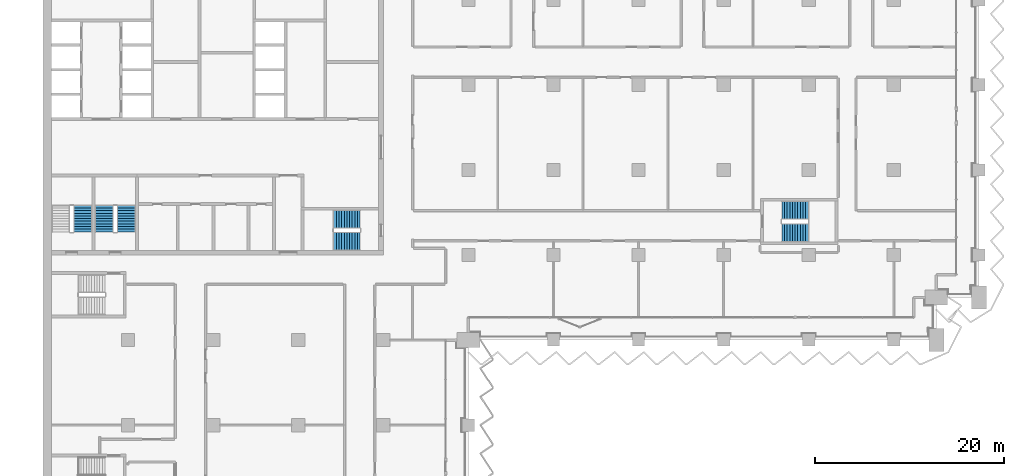
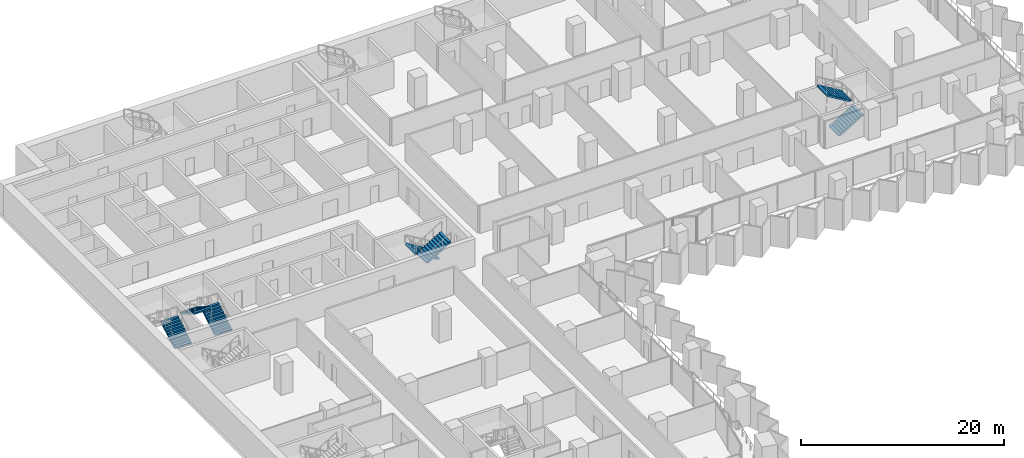
# One storey, part 20 of 28: 7 stair flights, 4 elements without a shape of their own.
"""IFC4 building model written with IfcOpenShell, lengths in metres."""

from ifc_helpers import new_model, si_unit, direction, frame, origin, place, context, subcontext, project, spatial, polyline, outline, extrude, material, type_object, element, aggregate, save


model = new_model("IFC4")

# Units and contexts
model_context = context("Model", 3, precision=1e-05, world=origin(), true_north=direction((0.0, 1.0)))
body_context = subcontext(model_context, "Body", "Model", "MODEL_VIEW")
ifc_project = project(units=[si_unit("LENGTHUNIT", "METRE"), si_unit("AREAUNIT", "SQUARE_METRE"), si_unit("VOLUMEUNIT", "CUBIC_METRE"), si_unit("PLANEANGLEUNIT", "RADIAN"), si_unit("MASSUNIT", "GRAM", prefix="KILO")], contexts=[model_context])

# Site, building, storey
site_placement = place(None, origin())
site = spatial("IfcSite", under=ifc_project, at=site_placement, CompositionType="ELEMENT")
building_placement = place(site_placement, origin())
building = spatial("IfcBuilding", under=site, at=building_placement, Name="Hunhe Ridgeline Campus", CompositionType="ELEMENT")
storey_placement = place(building_placement, frame((0.0, 0.0, 35.800048828125)))
storey = spatial("IfcBuildingStorey", under=building, at=storey_placement, Name="L07", CompositionType="ELEMENT", Elevation=35.800048828125)

# Stair, stair flights
ifc_material = material(Name="Concrete C40", Category="concrete")
stair_type = type_object("IfcStairType", Name="Reinforced concrete dog-leg stair 1950 Concrete C40", PredefinedType="HALF_TURN_STAIR", material=ifc_material)
stair_1_placement = place(storey_placement, origin())
stair_1 = element("IfcStair", 1, at=stair_1_placement, inside=storey, type_object=stair_type, Name="L07 S2", PredefinedType="HALF_TURN_STAIR")
stair_flight_type = type_object("IfcStairFlightType", Name="Reinforced concrete stair flight 1950 Concrete C40", PredefinedType="STRAIGHT", material=ifc_material)
stair_flight_1_placement = place(storey_placement, frame((33.550048828125, 66.77490234375, 0.0), z_axis=(0.0, 0.0, 1.0), x_axis=(-1.0, 0.0, 0.0)))
stair_flight_1 = element("IfcStairFlight", 2, at=stair_flight_1_placement, type_object=stair_flight_type, Name="ST2 flight 1", NumberOfRisers=11, NumberOfTreads=10, PredefinedType="STRAIGHT", RiserHeight=0.168181818, TreadLength=0.28, context=body_context, shape_type="SweptSolid", body=[
    extrude(outline(polyline([(0.0, 0.0), (0.0, 0.168212890625), (0.280029296875, 0.168212890625), (0.280029296875, 0.33642578125), (0.56005859375, 0.33642578125), (0.56005859375, 0.504638671875), (0.840087890625, 0.504638671875), (0.840087890625, 0.672607421875), (1.1201171875, 0.672607421875), (1.1201171875, 0.8408203125), (1.39990234375, 0.8408203125), (1.39990234375, 1.009033203125), (1.679931640625, 1.009033203125), (1.679931640625, 1.17724609375), (1.9599609375, 1.17724609375), (1.9599609375, 1.345458984375), (2.239990234375, 1.345458984375), (2.239990234375, 1.513671875), (2.52001953125, 1.513671875), (2.52001953125, 1.681884765625), (2.800048828125, 1.681884765625), (2.800048828125, 1.85009765625), (2.800048828125, 1.5068359375), (0.291015625, 0.0), (0.0, 0.0)])), frame((0.0, 0.97509765625, 0.0), z_axis=(0.0, -1.0, 0.0), x_axis=(1.0, 0.0, 0.0)), (0.0, 0.0, 1.0), 1.949951171875),
    extrude(outline(polyline([(0.030029296875, 0.030029296875), (0.030029296875, 0.13818359375), (0.31005859375, 0.13818359375), (0.31005859375, 0.306396484375), (0.590087890625, 0.306396484375), (0.590087890625, 0.474609375), (0.8701171875, 0.474609375), (0.8701171875, 0.642578125), (1.14990234375, 0.642578125), (1.14990234375, 0.810791015625), (1.429931640625, 0.810791015625), (1.429931640625, 0.97900390625), (1.7099609375, 0.97900390625), (1.7099609375, 1.147216796875), (1.989990234375, 1.147216796875), (1.989990234375, 1.3154296875), (2.27001953125, 1.3154296875), (2.27001953125, 1.483642578125), (2.550048828125, 1.483642578125), (2.550048828125, 1.65185546875), (2.77001953125, 1.65185546875), (2.77001953125, 1.52392578125), (0.28271484375, 0.030029296875), (0.030029296875, 0.030029296875)])), frame((0.0, -0.070068359375, 0.0), z_axis=(0.0, -1.0, 0.0), x_axis=(1.0, 0.0, 0.0)), (0.0, 0.0, 1.0), 0.019775390625),
    extrude(outline(polyline([(0.030029296875, 0.030029296875), (0.030029296875, 0.13818359375), (0.31005859375, 0.13818359375), (0.31005859375, 0.306396484375), (0.590087890625, 0.306396484375), (0.590087890625, 0.474609375), (0.8701171875, 0.474609375), (0.8701171875, 0.642578125), (1.14990234375, 0.642578125), (1.14990234375, 0.810791015625), (1.429931640625, 0.810791015625), (1.429931640625, 0.97900390625), (1.7099609375, 0.97900390625), (1.7099609375, 1.147216796875), (1.989990234375, 1.147216796875), (1.989990234375, 1.3154296875), (2.27001953125, 1.3154296875), (2.27001953125, 1.483642578125), (2.550048828125, 1.483642578125), (2.550048828125, 1.65185546875), (2.77001953125, 1.65185546875), (2.77001953125, 1.52392578125), (0.28271484375, 0.030029296875), (0.030029296875, 0.030029296875)])), frame((0.0, 0.010009765625, 0.0), z_axis=(0.0, -1.0, 0.0), x_axis=(1.0, 0.0, 0.0)), (0.0, 0.0, 1.0), 0.019775390625),
    extrude(outline(polyline([(0.030029296875, 0.030029296875), (0.030029296875, 0.13818359375), (0.31005859375, 0.13818359375), (0.31005859375, 0.306396484375), (0.590087890625, 0.306396484375), (0.590087890625, 0.474609375), (0.8701171875, 0.474609375), (0.8701171875, 0.642578125), (1.14990234375, 0.642578125), (1.14990234375, 0.810791015625), (1.429931640625, 0.810791015625), (1.429931640625, 0.97900390625), (1.7099609375, 0.97900390625), (1.7099609375, 1.147216796875), (1.989990234375, 1.147216796875), (1.989990234375, 1.3154296875), (2.27001953125, 1.3154296875), (2.27001953125, 1.483642578125), (2.550048828125, 1.483642578125), (2.550048828125, 1.65185546875), (2.77001953125, 1.65185546875), (2.77001953125, 1.52392578125), (0.28271484375, 0.030029296875), (0.030029296875, 0.030029296875)])), frame((0.0, 0.090087890625, 0.0), z_axis=(0.0, -1.0, 0.0), x_axis=(1.0, 0.0, 0.0)), (0.0, 0.0, 1.0), 0.019775390625),
])
stair_flight_2_placement = place(storey_placement, frame((30.75, 64.47509765625, 1.849853515625), z_axis=(0.0, 0.0, 1.0), x_axis=(1.0, 0.0, 0.0)))
stair_flight_2 = element("IfcStairFlight", 3, at=stair_flight_2_placement, type_object=stair_flight_type, Name="ST2 flight 2", NumberOfRisers=11, NumberOfTreads=10, PredefinedType="STRAIGHT", RiserHeight=0.168181818, TreadLength=0.28, context=body_context, shape_type="SweptSolid", body=[
    extrude(outline(polyline([(0.0, 0.0), (0.0, 0.168212890625), (0.280029296875, 0.168212890625), (0.280029296875, 0.33642578125), (0.56005859375, 0.33642578125), (0.56005859375, 0.504638671875), (0.840087890625, 0.504638671875), (0.840087890625, 0.672607421875), (1.1201171875, 0.672607421875), (1.1201171875, 0.8408203125), (1.39990234375, 0.8408203125), (1.39990234375, 1.009033203125), (1.679931640625, 1.009033203125), (1.679931640625, 1.17724609375), (1.9599609375, 1.17724609375), (1.9599609375, 1.345458984375), (2.239990234375, 1.345458984375), (2.239990234375, 1.513671875), (2.52001953125, 1.513671875), (2.52001953125, 1.681884765625), (2.800048828125, 1.681884765625), (2.800048828125, 1.85009765625), (2.800048828125, 1.5068359375), (0.291015625, 0.0), (0.0, 0.0)])), frame((0.0, 0.97509765625, 0.0), z_axis=(0.0, -1.0, 0.0), x_axis=(1.0, 0.0, 0.0)), (0.0, 0.0, 1.0), 1.949951171875),
    extrude(outline(polyline([(0.030029296875, 0.030029296875), (0.030029296875, 0.13818359375), (0.31005859375, 0.13818359375), (0.31005859375, 0.306396484375), (0.590087890625, 0.306396484375), (0.590087890625, 0.474609375), (0.8701171875, 0.474609375), (0.8701171875, 0.642578125), (1.14990234375, 0.642578125), (1.14990234375, 0.810791015625), (1.429931640625, 0.810791015625), (1.429931640625, 0.97900390625), (1.7099609375, 0.97900390625), (1.7099609375, 1.147216796875), (1.989990234375, 1.147216796875), (1.989990234375, 1.3154296875), (2.27001953125, 1.3154296875), (2.27001953125, 1.483642578125), (2.550048828125, 1.483642578125), (2.550048828125, 1.65185546875), (2.77001953125, 1.65185546875), (2.77001953125, 1.52392578125), (0.28271484375, 0.030029296875), (0.030029296875, 0.030029296875)])), frame((0.0, -0.070068359375, 0.0), z_axis=(0.0, -1.0, 0.0), x_axis=(1.0, 0.0, 0.0)), (0.0, 0.0, 1.0), 0.019775390625),
    extrude(outline(polyline([(0.030029296875, 0.030029296875), (0.030029296875, 0.13818359375), (0.31005859375, 0.13818359375), (0.31005859375, 0.306396484375), (0.590087890625, 0.306396484375), (0.590087890625, 0.474609375), (0.8701171875, 0.474609375), (0.8701171875, 0.642578125), (1.14990234375, 0.642578125), (1.14990234375, 0.810791015625), (1.429931640625, 0.810791015625), (1.429931640625, 0.97900390625), (1.7099609375, 0.97900390625), (1.7099609375, 1.147216796875), (1.989990234375, 1.147216796875), (1.989990234375, 1.3154296875), (2.27001953125, 1.3154296875), (2.27001953125, 1.483642578125), (2.550048828125, 1.483642578125), (2.550048828125, 1.65185546875), (2.77001953125, 1.65185546875), (2.77001953125, 1.52392578125), (0.28271484375, 0.030029296875), (0.030029296875, 0.030029296875)])), frame((0.0, 0.010009765625, 0.0), z_axis=(0.0, -1.0, 0.0), x_axis=(1.0, 0.0, 0.0)), (0.0, 0.0, 1.0), 0.019775390625),
    extrude(outline(polyline([(0.030029296875, 0.030029296875), (0.030029296875, 0.13818359375), (0.31005859375, 0.13818359375), (0.31005859375, 0.306396484375), (0.590087890625, 0.306396484375), (0.590087890625, 0.474609375), (0.8701171875, 0.474609375), (0.8701171875, 0.642578125), (1.14990234375, 0.642578125), (1.14990234375, 0.810791015625), (1.429931640625, 0.810791015625), (1.429931640625, 0.97900390625), (1.7099609375, 0.97900390625), (1.7099609375, 1.147216796875), (1.989990234375, 1.147216796875), (1.989990234375, 1.3154296875), (2.27001953125, 1.3154296875), (2.27001953125, 1.483642578125), (2.550048828125, 1.483642578125), (2.550048828125, 1.65185546875), (2.77001953125, 1.65185546875), (2.77001953125, 1.52392578125), (0.28271484375, 0.030029296875), (0.030029296875, 0.030029296875)])), frame((0.0, 0.090087890625, 0.0), z_axis=(0.0, -1.0, 0.0), x_axis=(1.0, 0.0, 0.0)), (0.0, 0.0, 1.0), 0.019775390625),
])
aggregate(stair_1, [stair_flight_1, stair_flight_2])

# Stair, stair flight
stair_2_placement = place(storey_placement, origin())
stair_2 = element("IfcStair", 4, at=stair_2_placement, inside=storey, type_object=stair_type, Name="L07 S3", PredefinedType="HALF_TURN_STAIR")
stair_flight_3_placement = place(storey_placement, frame((4.22509765625, 65.449951171875, 0.0), z_axis=(0.0, 0.0, 1.0), x_axis=(0.0, 1.0, 0.0)))
stair_flight_3 = element("IfcStairFlight", 5, at=stair_flight_3_placement, type_object=stair_flight_type, Name="ST3 flight 1", NumberOfRisers=11, NumberOfTreads=10, PredefinedType="STRAIGHT", RiserHeight=0.168181818, TreadLength=0.28, context=body_context, shape_type="SweptSolid", body=[
    extrude(outline(polyline([(0.0, 0.0), (0.0, 0.168212890625), (0.280029296875, 0.168212890625), (0.280029296875, 0.33642578125), (0.56005859375, 0.33642578125), (0.56005859375, 0.504638671875), (0.840087890625, 0.504638671875), (0.840087890625, 0.672607421875), (1.1201171875, 0.672607421875), (1.1201171875, 0.8408203125), (1.39990234375, 0.8408203125), (1.39990234375, 1.009033203125), (1.679931640625, 1.009033203125), (1.679931640625, 1.17724609375), (1.9599609375, 1.17724609375), (1.9599609375, 1.345458984375), (2.239990234375, 1.345458984375), (2.239990234375, 1.513671875), (2.52001953125, 1.513671875), (2.52001953125, 1.681884765625), (2.800048828125, 1.681884765625), (2.800048828125, 1.85009765625), (2.800048828125, 1.5068359375), (0.291015625, 0.0), (0.0, 0.0)])), frame((0.0, 0.97509765625, 0.0), z_axis=(0.0, -1.0, 0.0), x_axis=(1.0, 0.0, 0.0)), (0.0, 0.0, 1.0), 1.949951171875),
    extrude(outline(polyline([(0.030029296875, 0.030029296875), (0.030029296875, 0.13818359375), (0.31005859375, 0.13818359375), (0.31005859375, 0.306396484375), (0.590087890625, 0.306396484375), (0.590087890625, 0.474609375), (0.8701171875, 0.474609375), (0.8701171875, 0.642578125), (1.14990234375, 0.642578125), (1.14990234375, 0.810791015625), (1.429931640625, 0.810791015625), (1.429931640625, 0.97900390625), (1.7099609375, 0.97900390625), (1.7099609375, 1.147216796875), (1.989990234375, 1.147216796875), (1.989990234375, 1.3154296875), (2.27001953125, 1.3154296875), (2.27001953125, 1.483642578125), (2.550048828125, 1.483642578125), (2.550048828125, 1.65185546875), (2.77001953125, 1.65185546875), (2.77001953125, 1.52392578125), (0.28271484375, 0.030029296875), (0.030029296875, 0.030029296875)])), frame((0.0, -0.070068359375, 0.0), z_axis=(0.0, -1.0, 0.0), x_axis=(1.0, 0.0, 0.0)), (0.0, 0.0, 1.0), 0.019775390625),
    extrude(outline(polyline([(0.030029296875, 0.030029296875), (0.030029296875, 0.13818359375), (0.31005859375, 0.13818359375), (0.31005859375, 0.306396484375), (0.590087890625, 0.306396484375), (0.590087890625, 0.474609375), (0.8701171875, 0.474609375), (0.8701171875, 0.642578125), (1.14990234375, 0.642578125), (1.14990234375, 0.810791015625), (1.429931640625, 0.810791015625), (1.429931640625, 0.97900390625), (1.7099609375, 0.97900390625), (1.7099609375, 1.147216796875), (1.989990234375, 1.147216796875), (1.989990234375, 1.3154296875), (2.27001953125, 1.3154296875), (2.27001953125, 1.483642578125), (2.550048828125, 1.483642578125), (2.550048828125, 1.65185546875), (2.77001953125, 1.65185546875), (2.77001953125, 1.52392578125), (0.28271484375, 0.030029296875), (0.030029296875, 0.030029296875)])), frame((0.0, 0.010009765625, 0.0), z_axis=(0.0, -1.0, 0.0), x_axis=(1.0, 0.0, 0.0)), (0.0, 0.0, 1.0), 0.019775390625),
    extrude(outline(polyline([(0.030029296875, 0.030029296875), (0.030029296875, 0.13818359375), (0.31005859375, 0.13818359375), (0.31005859375, 0.306396484375), (0.590087890625, 0.306396484375), (0.590087890625, 0.474609375), (0.8701171875, 0.474609375), (0.8701171875, 0.642578125), (1.14990234375, 0.642578125), (1.14990234375, 0.810791015625), (1.429931640625, 0.810791015625), (1.429931640625, 0.97900390625), (1.7099609375, 0.97900390625), (1.7099609375, 1.147216796875), (1.989990234375, 1.147216796875), (1.989990234375, 1.3154296875), (2.27001953125, 1.3154296875), (2.27001953125, 1.483642578125), (2.550048828125, 1.483642578125), (2.550048828125, 1.65185546875), (2.77001953125, 1.65185546875), (2.77001953125, 1.52392578125), (0.28271484375, 0.030029296875), (0.030029296875, 0.030029296875)])), frame((0.0, 0.090087890625, 0.0), z_axis=(0.0, -1.0, 0.0), x_axis=(1.0, 0.0, 0.0)), (0.0, 0.0, 1.0), 0.019775390625),
])
aggregate(stair_2, [stair_flight_3])

# Stair, stair flights
stair_3_placement = place(storey_placement, origin())
stair_3 = element("IfcStair", 6, at=stair_3_placement, inside=storey, type_object=stair_type, Name="L07 S4", PredefinedType="HALF_TURN_STAIR")
stair_flight_4_placement = place(storey_placement, frame((8.824951171875, 65.449951171875, 0.0), z_axis=(0.0, 0.0, 1.0), x_axis=(0.0, 1.0, 0.0)))
stair_flight_4 = element("IfcStairFlight", 7, at=stair_flight_4_placement, type_object=stair_flight_type, Name="ST4 flight 1", NumberOfRisers=11, NumberOfTreads=10, PredefinedType="STRAIGHT", RiserHeight=0.168181818, TreadLength=0.28, context=body_context, shape_type="SweptSolid", body=[
    extrude(outline(polyline([(0.0, 0.0), (0.0, 0.168212890625), (0.280029296875, 0.168212890625), (0.280029296875, 0.33642578125), (0.56005859375, 0.33642578125), (0.56005859375, 0.504638671875), (0.840087890625, 0.504638671875), (0.840087890625, 0.672607421875), (1.1201171875, 0.672607421875), (1.1201171875, 0.8408203125), (1.39990234375, 0.8408203125), (1.39990234375, 1.009033203125), (1.679931640625, 1.009033203125), (1.679931640625, 1.17724609375), (1.9599609375, 1.17724609375), (1.9599609375, 1.345458984375), (2.239990234375, 1.345458984375), (2.239990234375, 1.513671875), (2.52001953125, 1.513671875), (2.52001953125, 1.681884765625), (2.800048828125, 1.681884765625), (2.800048828125, 1.85009765625), (2.800048828125, 1.5068359375), (0.291015625, 0.0), (0.0, 0.0)])), frame((0.0, 0.97509765625, 0.0), z_axis=(0.0, -1.0, 0.0), x_axis=(1.0, 0.0, 0.0)), (0.0, 0.0, 1.0), 1.949951171875),
    extrude(outline(polyline([(0.030029296875, 0.030029296875), (0.030029296875, 0.13818359375), (0.31005859375, 0.13818359375), (0.31005859375, 0.306396484375), (0.590087890625, 0.306396484375), (0.590087890625, 0.474609375), (0.8701171875, 0.474609375), (0.8701171875, 0.642578125), (1.14990234375, 0.642578125), (1.14990234375, 0.810791015625), (1.429931640625, 0.810791015625), (1.429931640625, 0.97900390625), (1.7099609375, 0.97900390625), (1.7099609375, 1.147216796875), (1.989990234375, 1.147216796875), (1.989990234375, 1.3154296875), (2.27001953125, 1.3154296875), (2.27001953125, 1.483642578125), (2.550048828125, 1.483642578125), (2.550048828125, 1.65185546875), (2.77001953125, 1.65185546875), (2.77001953125, 1.52392578125), (0.28271484375, 0.030029296875), (0.030029296875, 0.030029296875)])), frame((0.0, -0.070068359375, 0.0), z_axis=(0.0, -1.0, 0.0), x_axis=(1.0, 0.0, 0.0)), (0.0, 0.0, 1.0), 0.019775390625),
    extrude(outline(polyline([(0.030029296875, 0.030029296875), (0.030029296875, 0.13818359375), (0.31005859375, 0.13818359375), (0.31005859375, 0.306396484375), (0.590087890625, 0.306396484375), (0.590087890625, 0.474609375), (0.8701171875, 0.474609375), (0.8701171875, 0.642578125), (1.14990234375, 0.642578125), (1.14990234375, 0.810791015625), (1.429931640625, 0.810791015625), (1.429931640625, 0.97900390625), (1.7099609375, 0.97900390625), (1.7099609375, 1.147216796875), (1.989990234375, 1.147216796875), (1.989990234375, 1.3154296875), (2.27001953125, 1.3154296875), (2.27001953125, 1.483642578125), (2.550048828125, 1.483642578125), (2.550048828125, 1.65185546875), (2.77001953125, 1.65185546875), (2.77001953125, 1.52392578125), (0.28271484375, 0.030029296875), (0.030029296875, 0.030029296875)])), frame((0.0, 0.010009765625, 0.0), z_axis=(0.0, -1.0, 0.0), x_axis=(1.0, 0.0, 0.0)), (0.0, 0.0, 1.0), 0.019775390625),
    extrude(outline(polyline([(0.030029296875, 0.030029296875), (0.030029296875, 0.13818359375), (0.31005859375, 0.13818359375), (0.31005859375, 0.306396484375), (0.590087890625, 0.306396484375), (0.590087890625, 0.474609375), (0.8701171875, 0.474609375), (0.8701171875, 0.642578125), (1.14990234375, 0.642578125), (1.14990234375, 0.810791015625), (1.429931640625, 0.810791015625), (1.429931640625, 0.97900390625), (1.7099609375, 0.97900390625), (1.7099609375, 1.147216796875), (1.989990234375, 1.147216796875), (1.989990234375, 1.3154296875), (2.27001953125, 1.3154296875), (2.27001953125, 1.483642578125), (2.550048828125, 1.483642578125), (2.550048828125, 1.65185546875), (2.77001953125, 1.65185546875), (2.77001953125, 1.52392578125), (0.28271484375, 0.030029296875), (0.030029296875, 0.030029296875)])), frame((0.0, 0.090087890625, 0.0), z_axis=(0.0, -1.0, 0.0), x_axis=(1.0, 0.0, 0.0)), (0.0, 0.0, 1.0), 0.019775390625),
])
stair_flight_5_placement = place(storey_placement, frame((6.47509765625, 68.25, 1.849853515625), z_axis=(0.0, 0.0, 1.0), x_axis=(0.0, -1.0, 0.0)))
stair_flight_5 = element("IfcStairFlight", 8, at=stair_flight_5_placement, type_object=stair_flight_type, Name="ST4 flight 2", NumberOfRisers=11, NumberOfTreads=10, PredefinedType="STRAIGHT", RiserHeight=0.168181818, TreadLength=0.28, context=body_context, shape_type="SweptSolid", body=[
    extrude(outline(polyline([(0.0, 0.0), (0.0, 0.168212890625), (0.280029296875, 0.168212890625), (0.280029296875, 0.33642578125), (0.56005859375, 0.33642578125), (0.56005859375, 0.504638671875), (0.840087890625, 0.504638671875), (0.840087890625, 0.672607421875), (1.1201171875, 0.672607421875), (1.1201171875, 0.8408203125), (1.39990234375, 0.8408203125), (1.39990234375, 1.009033203125), (1.679931640625, 1.009033203125), (1.679931640625, 1.17724609375), (1.9599609375, 1.17724609375), (1.9599609375, 1.345458984375), (2.239990234375, 1.345458984375), (2.239990234375, 1.513671875), (2.52001953125, 1.513671875), (2.52001953125, 1.681884765625), (2.800048828125, 1.681884765625), (2.800048828125, 1.85009765625), (2.800048828125, 1.5068359375), (0.291015625, 0.0), (0.0, 0.0)])), frame((0.0, 0.97509765625, 0.0), z_axis=(0.0, -1.0, 0.0), x_axis=(1.0, 0.0, 0.0)), (0.0, 0.0, 1.0), 1.949951171875),
    extrude(outline(polyline([(0.030029296875, 0.030029296875), (0.030029296875, 0.13818359375), (0.31005859375, 0.13818359375), (0.31005859375, 0.306396484375), (0.590087890625, 0.306396484375), (0.590087890625, 0.474609375), (0.8701171875, 0.474609375), (0.8701171875, 0.642578125), (1.14990234375, 0.642578125), (1.14990234375, 0.810791015625), (1.429931640625, 0.810791015625), (1.429931640625, 0.97900390625), (1.7099609375, 0.97900390625), (1.7099609375, 1.147216796875), (1.989990234375, 1.147216796875), (1.989990234375, 1.3154296875), (2.27001953125, 1.3154296875), (2.27001953125, 1.483642578125), (2.550048828125, 1.483642578125), (2.550048828125, 1.65185546875), (2.77001953125, 1.65185546875), (2.77001953125, 1.52392578125), (0.28271484375, 0.030029296875), (0.030029296875, 0.030029296875)])), frame((0.0, -0.070068359375, 0.0), z_axis=(0.0, -1.0, 0.0), x_axis=(1.0, 0.0, 0.0)), (0.0, 0.0, 1.0), 0.019775390625),
    extrude(outline(polyline([(0.030029296875, 0.030029296875), (0.030029296875, 0.13818359375), (0.31005859375, 0.13818359375), (0.31005859375, 0.306396484375), (0.590087890625, 0.306396484375), (0.590087890625, 0.474609375), (0.8701171875, 0.474609375), (0.8701171875, 0.642578125), (1.14990234375, 0.642578125), (1.14990234375, 0.810791015625), (1.429931640625, 0.810791015625), (1.429931640625, 0.97900390625), (1.7099609375, 0.97900390625), (1.7099609375, 1.147216796875), (1.989990234375, 1.147216796875), (1.989990234375, 1.3154296875), (2.27001953125, 1.3154296875), (2.27001953125, 1.483642578125), (2.550048828125, 1.483642578125), (2.550048828125, 1.65185546875), (2.77001953125, 1.65185546875), (2.77001953125, 1.52392578125), (0.28271484375, 0.030029296875), (0.030029296875, 0.030029296875)])), frame((0.0, 0.010009765625, 0.0), z_axis=(0.0, -1.0, 0.0), x_axis=(1.0, 0.0, 0.0)), (0.0, 0.0, 1.0), 0.019775390625),
    extrude(outline(polyline([(0.030029296875, 0.030029296875), (0.030029296875, 0.13818359375), (0.31005859375, 0.13818359375), (0.31005859375, 0.306396484375), (0.590087890625, 0.306396484375), (0.590087890625, 0.474609375), (0.8701171875, 0.474609375), (0.8701171875, 0.642578125), (1.14990234375, 0.642578125), (1.14990234375, 0.810791015625), (1.429931640625, 0.810791015625), (1.429931640625, 0.97900390625), (1.7099609375, 0.97900390625), (1.7099609375, 1.147216796875), (1.989990234375, 1.147216796875), (1.989990234375, 1.3154296875), (2.27001953125, 1.3154296875), (2.27001953125, 1.483642578125), (2.550048828125, 1.483642578125), (2.550048828125, 1.65185546875), (2.77001953125, 1.65185546875), (2.77001953125, 1.52392578125), (0.28271484375, 0.030029296875), (0.030029296875, 0.030029296875)])), frame((0.0, 0.090087890625, 0.0), z_axis=(0.0, -1.0, 0.0), x_axis=(1.0, 0.0, 0.0)), (0.0, 0.0, 1.0), 0.019775390625),
])
aggregate(stair_3, [stair_flight_4, stair_flight_5])

stair_4_placement = place(storey_placement, origin())
stair_4 = element("IfcStair", 9, at=stair_4_placement, inside=storey, type_object=stair_type, Name="L07 E5", PredefinedType="HALF_TURN_STAIR")
stair_flight_6_placement = place(storey_placement, frame((78.14990234375, 65.375, 0.0), z_axis=(0.0, 0.0, 1.0), x_axis=(1.0, 0.0, 0.0)))
stair_flight_6 = element("IfcStairFlight", 10, at=stair_flight_6_placement, type_object=stair_flight_type, Name="ST10 flight 1", NumberOfRisers=11, NumberOfTreads=10, PredefinedType="STRAIGHT", RiserHeight=0.168181818, TreadLength=0.28, context=body_context, shape_type="SweptSolid", body=[
    extrude(outline(polyline([(0.0, 0.0), (0.0, 0.168212890625), (0.280029296875, 0.168212890625), (0.280029296875, 0.33642578125), (0.56005859375, 0.33642578125), (0.56005859375, 0.504638671875), (0.840087890625, 0.504638671875), (0.840087890625, 0.672607421875), (1.1201171875, 0.672607421875), (1.1201171875, 0.8408203125), (1.39990234375, 0.8408203125), (1.39990234375, 1.009033203125), (1.679931640625, 1.009033203125), (1.679931640625, 1.17724609375), (1.9599609375, 1.17724609375), (1.9599609375, 1.345458984375), (2.239990234375, 1.345458984375), (2.239990234375, 1.513671875), (2.52001953125, 1.513671875), (2.52001953125, 1.681884765625), (2.800048828125, 1.681884765625), (2.800048828125, 1.85009765625), (2.800048828125, 1.5068359375), (0.291015625, 0.0), (0.0, 0.0)])), frame((0.0, 0.97509765625, 0.0), z_axis=(0.0, -1.0, 0.0), x_axis=(1.0, 0.0, 0.0)), (0.0, 0.0, 1.0), 1.949951171875),
    extrude(outline(polyline([(0.030029296875, 0.030029296875), (0.030029296875, 0.13818359375), (0.31005859375, 0.13818359375), (0.31005859375, 0.306396484375), (0.590087890625, 0.306396484375), (0.590087890625, 0.474609375), (0.8701171875, 0.474609375), (0.8701171875, 0.642578125), (1.14990234375, 0.642578125), (1.14990234375, 0.810791015625), (1.429931640625, 0.810791015625), (1.429931640625, 0.97900390625), (1.7099609375, 0.97900390625), (1.7099609375, 1.147216796875), (1.989990234375, 1.147216796875), (1.989990234375, 1.3154296875), (2.27001953125, 1.3154296875), (2.27001953125, 1.483642578125), (2.550048828125, 1.483642578125), (2.550048828125, 1.65185546875), (2.77001953125, 1.65185546875), (2.77001953125, 1.52392578125), (0.28271484375, 0.030029296875), (0.030029296875, 0.030029296875)])), frame((0.0, -0.070068359375, 0.0), z_axis=(0.0, -1.0, 0.0), x_axis=(1.0, 0.0, 0.0)), (0.0, 0.0, 1.0), 0.019775390625),
    extrude(outline(polyline([(0.030029296875, 0.030029296875), (0.030029296875, 0.13818359375), (0.31005859375, 0.13818359375), (0.31005859375, 0.306396484375), (0.590087890625, 0.306396484375), (0.590087890625, 0.474609375), (0.8701171875, 0.474609375), (0.8701171875, 0.642578125), (1.14990234375, 0.642578125), (1.14990234375, 0.810791015625), (1.429931640625, 0.810791015625), (1.429931640625, 0.97900390625), (1.7099609375, 0.97900390625), (1.7099609375, 1.147216796875), (1.989990234375, 1.147216796875), (1.989990234375, 1.3154296875), (2.27001953125, 1.3154296875), (2.27001953125, 1.483642578125), (2.550048828125, 1.483642578125), (2.550048828125, 1.65185546875), (2.77001953125, 1.65185546875), (2.77001953125, 1.52392578125), (0.28271484375, 0.030029296875), (0.030029296875, 0.030029296875)])), frame((0.0, 0.010009765625, 0.0), z_axis=(0.0, -1.0, 0.0), x_axis=(1.0, 0.0, 0.0)), (0.0, 0.0, 1.0), 0.019775390625),
    extrude(outline(polyline([(0.030029296875, 0.030029296875), (0.030029296875, 0.13818359375), (0.31005859375, 0.13818359375), (0.31005859375, 0.306396484375), (0.590087890625, 0.306396484375), (0.590087890625, 0.474609375), (0.8701171875, 0.474609375), (0.8701171875, 0.642578125), (1.14990234375, 0.642578125), (1.14990234375, 0.810791015625), (1.429931640625, 0.810791015625), (1.429931640625, 0.97900390625), (1.7099609375, 0.97900390625), (1.7099609375, 1.147216796875), (1.989990234375, 1.147216796875), (1.989990234375, 1.3154296875), (2.27001953125, 1.3154296875), (2.27001953125, 1.483642578125), (2.550048828125, 1.483642578125), (2.550048828125, 1.65185546875), (2.77001953125, 1.65185546875), (2.77001953125, 1.52392578125), (0.28271484375, 0.030029296875), (0.030029296875, 0.030029296875)])), frame((0.0, 0.090087890625, 0.0), z_axis=(0.0, -1.0, 0.0), x_axis=(1.0, 0.0, 0.0)), (0.0, 0.0, 1.0), 0.019775390625),
])
stair_flight_7_placement = place(storey_placement, frame((80.949951171875, 67.72509765625, 1.849853515625), z_axis=(0.0, 0.0, 1.0), x_axis=(-1.0, 0.0, 0.0)))
stair_flight_7 = element("IfcStairFlight", 11, at=stair_flight_7_placement, type_object=stair_flight_type, Name="ST10 flight 2", NumberOfRisers=11, NumberOfTreads=10, PredefinedType="STRAIGHT", RiserHeight=0.168181818, TreadLength=0.28, context=body_context, shape_type="SweptSolid", body=[
    extrude(outline(polyline([(0.0, 0.0), (0.0, 0.168212890625), (0.280029296875, 0.168212890625), (0.280029296875, 0.33642578125), (0.56005859375, 0.33642578125), (0.56005859375, 0.504638671875), (0.840087890625, 0.504638671875), (0.840087890625, 0.672607421875), (1.1201171875, 0.672607421875), (1.1201171875, 0.8408203125), (1.39990234375, 0.8408203125), (1.39990234375, 1.009033203125), (1.679931640625, 1.009033203125), (1.679931640625, 1.17724609375), (1.9599609375, 1.17724609375), (1.9599609375, 1.345458984375), (2.239990234375, 1.345458984375), (2.239990234375, 1.513671875), (2.52001953125, 1.513671875), (2.52001953125, 1.681884765625), (2.800048828125, 1.681884765625), (2.800048828125, 1.85009765625), (2.800048828125, 1.5068359375), (0.291015625, 0.0), (0.0, 0.0)])), frame((0.0, 0.97509765625, 0.0), z_axis=(0.0, -1.0, 0.0), x_axis=(1.0, 0.0, 0.0)), (0.0, 0.0, 1.0), 1.949951171875),
    extrude(outline(polyline([(0.030029296875, 0.030029296875), (0.030029296875, 0.13818359375), (0.31005859375, 0.13818359375), (0.31005859375, 0.306396484375), (0.590087890625, 0.306396484375), (0.590087890625, 0.474609375), (0.8701171875, 0.474609375), (0.8701171875, 0.642578125), (1.14990234375, 0.642578125), (1.14990234375, 0.810791015625), (1.429931640625, 0.810791015625), (1.429931640625, 0.97900390625), (1.7099609375, 0.97900390625), (1.7099609375, 1.147216796875), (1.989990234375, 1.147216796875), (1.989990234375, 1.3154296875), (2.27001953125, 1.3154296875), (2.27001953125, 1.483642578125), (2.550048828125, 1.483642578125), (2.550048828125, 1.65185546875), (2.77001953125, 1.65185546875), (2.77001953125, 1.52392578125), (0.28271484375, 0.030029296875), (0.030029296875, 0.030029296875)])), frame((0.0, -0.070068359375, 0.0), z_axis=(0.0, -1.0, 0.0), x_axis=(1.0, 0.0, 0.0)), (0.0, 0.0, 1.0), 0.019775390625),
    extrude(outline(polyline([(0.030029296875, 0.030029296875), (0.030029296875, 0.13818359375), (0.31005859375, 0.13818359375), (0.31005859375, 0.306396484375), (0.590087890625, 0.306396484375), (0.590087890625, 0.474609375), (0.8701171875, 0.474609375), (0.8701171875, 0.642578125), (1.14990234375, 0.642578125), (1.14990234375, 0.810791015625), (1.429931640625, 0.810791015625), (1.429931640625, 0.97900390625), (1.7099609375, 0.97900390625), (1.7099609375, 1.147216796875), (1.989990234375, 1.147216796875), (1.989990234375, 1.3154296875), (2.27001953125, 1.3154296875), (2.27001953125, 1.483642578125), (2.550048828125, 1.483642578125), (2.550048828125, 1.65185546875), (2.77001953125, 1.65185546875), (2.77001953125, 1.52392578125), (0.28271484375, 0.030029296875), (0.030029296875, 0.030029296875)])), frame((0.0, 0.010009765625, 0.0), z_axis=(0.0, -1.0, 0.0), x_axis=(1.0, 0.0, 0.0)), (0.0, 0.0, 1.0), 0.019775390625),
    extrude(outline(polyline([(0.030029296875, 0.030029296875), (0.030029296875, 0.13818359375), (0.31005859375, 0.13818359375), (0.31005859375, 0.306396484375), (0.590087890625, 0.306396484375), (0.590087890625, 0.474609375), (0.8701171875, 0.474609375), (0.8701171875, 0.642578125), (1.14990234375, 0.642578125), (1.14990234375, 0.810791015625), (1.429931640625, 0.810791015625), (1.429931640625, 0.97900390625), (1.7099609375, 0.97900390625), (1.7099609375, 1.147216796875), (1.989990234375, 1.147216796875), (1.989990234375, 1.3154296875), (2.27001953125, 1.3154296875), (2.27001953125, 1.483642578125), (2.550048828125, 1.483642578125), (2.550048828125, 1.65185546875), (2.77001953125, 1.65185546875), (2.77001953125, 1.52392578125), (0.28271484375, 0.030029296875), (0.030029296875, 0.030029296875)])), frame((0.0, 0.090087890625, 0.0), z_axis=(0.0, -1.0, 0.0), x_axis=(1.0, 0.0, 0.0)), (0.0, 0.0, 1.0), 0.019775390625),
])
aggregate(stair_4, [stair_flight_6, stair_flight_7])

save(model, "model.ifc")
